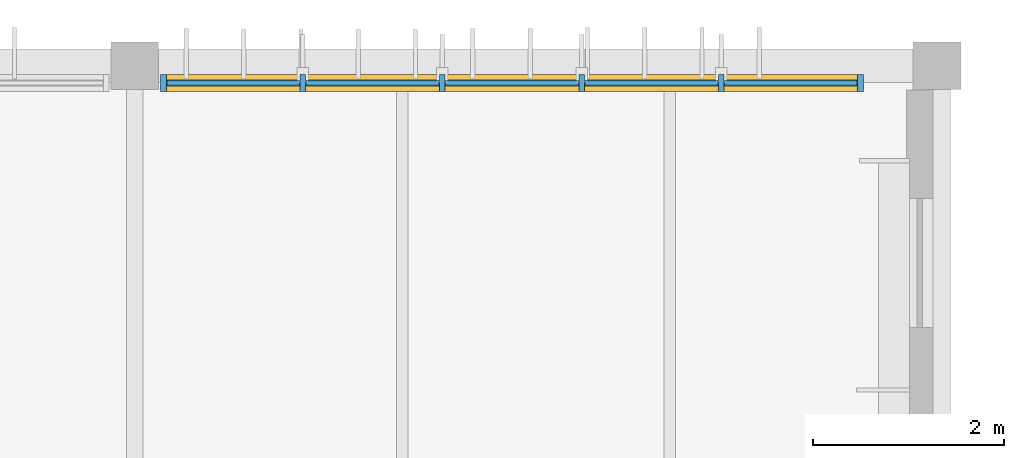
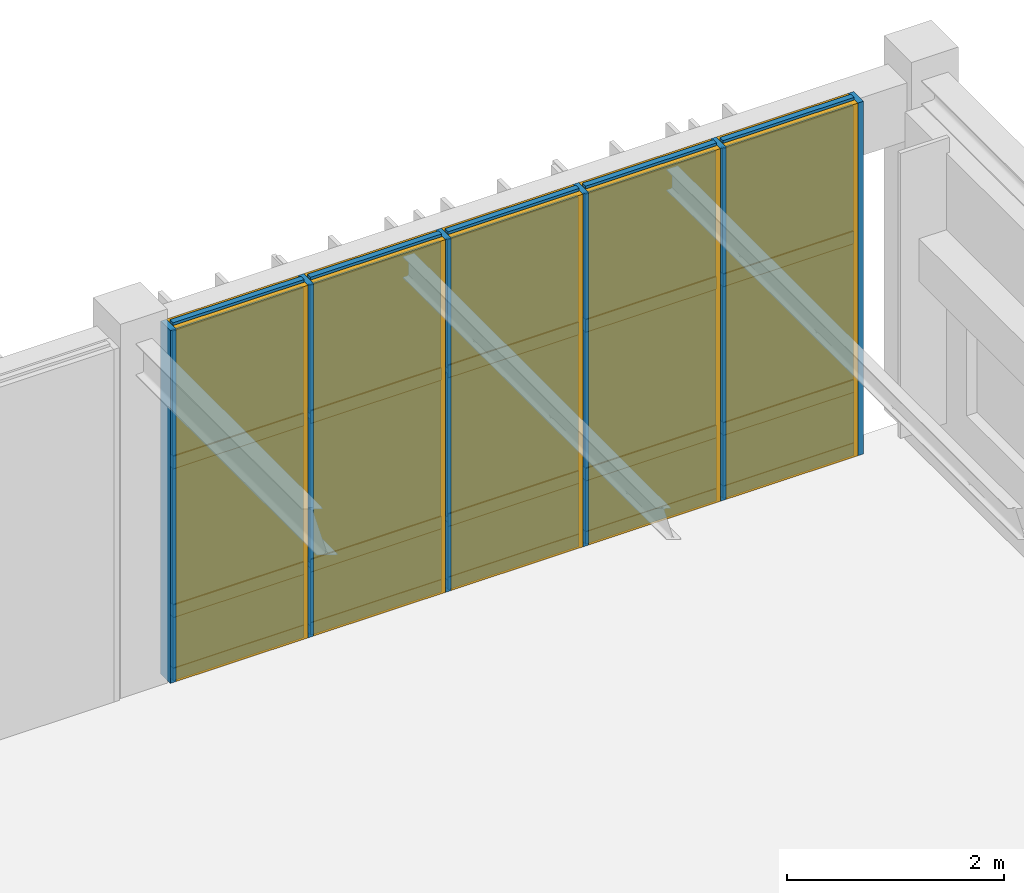
# One storey, part 89 of 104: 26 members, 15 plates, 1 curtain wall.
"""IFC4 building model written with IfcOpenShell, lengths in metres."""

from ifc_helpers import new_model, si_unit, direction, frame, frame_2d, origin, origin_2d, place, context, subcontext, project, spatial, rectangle, extrude, material, layer, layer_set, material_profile, profile_set, type_object, element, aggregate, save


model = new_model("IFC4")

# Units and contexts
model_context = context("Model", 3, precision=1e-05, world=origin(), true_north=direction((0.0, 1.0)))
body_context = subcontext(model_context, "Body", "Model", "MODEL_VIEW")
ifc_project = project(units=[si_unit("LENGTHUNIT", "METRE"), si_unit("AREAUNIT", "SQUARE_METRE"), si_unit("VOLUMEUNIT", "CUBIC_METRE"), si_unit("PLANEANGLEUNIT", "RADIAN"), si_unit("MASSUNIT", "GRAM", prefix="KILO")], contexts=[model_context])

# Member
ifc_material_1 = material(Name="Anodised Bronze Aluminium 6063-T6", Category="aluminium")
ifc_material_profile_1 = material_profile(ifc_material_1, rectangle(XDim=0.06005859375, YDim=0.179931640625, at=origin_2d()), Name="ALU MULLION 60x180")
ifc_profile_set_1 = profile_set([ifc_material_profile_1], Name="Anodised Bronze Aluminium 6063-T6")
member_type_1 = type_object("IfcMemberType", Name="Curtain-Wall Primary Mullion 60x180", PredefinedType="MULLION", material=ifc_profile_set_1)
site_placement = place(None, origin())
building_placement = place(site_placement, origin())
storey_placement = place(building_placement, frame((0.0, 0.0, 9.0)))
member_1_placement = place(storey_placement, frame((142.5, 111.6201171875, 0.0), z_axis=(0.0, 0.0, 1.0), x_axis=(1.0, 0.0, 0.0)))
member_1 = element("IfcMember", 1, at=member_1_placement, type_object=member_type_1, Name="Mullion CWM-01 CW-V3-N3-L02-B3-M01", PredefinedType="MULLION", context=body_context, shape_type="SweptSolid", body=[
    extrude(rectangle(XDim=0.06005859375, YDim=0.179931640625, at=origin_2d()), origin(), (0.0, 0.0, 1.0), 3.9599609375),
])

member_2_placement = place(storey_placement, frame((143.9599609375, 111.6201171875, 0.0), z_axis=(0.0, 0.0, 1.0), x_axis=(1.0, 0.0, 0.0)))
member_2 = element("IfcMember", 2, at=member_2_placement, type_object=member_type_1, Name="Mullion CWM-01 CW-V3-N3-L02-B3-M02", PredefinedType="MULLION", context=body_context, shape_type="SweptSolid", body=[
    extrude(rectangle(XDim=0.06005859375, YDim=0.179931640625, at=origin_2d()), origin(), (0.0, 0.0, 1.0), 3.9599609375),
])

member_3_placement = place(storey_placement, frame((145.419921875, 111.6201171875, 0.0), z_axis=(0.0, 0.0, 1.0), x_axis=(1.0, 0.0, 0.0)))
member_3 = element("IfcMember", 3, at=member_3_placement, type_object=member_type_1, Name="Mullion CWM-01 CW-V3-N3-L02-B3-M03", PredefinedType="MULLION", context=body_context, shape_type="SweptSolid", body=[
    extrude(rectangle(XDim=0.06005859375, YDim=0.179931640625, at=origin_2d()), origin(), (0.0, 0.0, 1.0), 3.9599609375),
])

member_4_placement = place(storey_placement, frame((146.8798828125, 111.6201171875, 0.0), z_axis=(0.0, 0.0, 1.0), x_axis=(1.0, 0.0, 0.0)))
member_4 = element("IfcMember", 4, at=member_4_placement, type_object=member_type_1, Name="Mullion CWM-01 CW-V3-N3-L02-B3-M04", PredefinedType="MULLION", context=body_context, shape_type="SweptSolid", body=[
    extrude(rectangle(XDim=0.06005859375, YDim=0.179931640625, at=origin_2d()), origin(), (0.0, 0.0, 1.0), 3.9599609375),
])

member_5_placement = place(storey_placement, frame((148.340087890625, 111.6201171875, 0.0), z_axis=(0.0, 0.0, 1.0), x_axis=(1.0, 0.0, 0.0)))
member_5 = element("IfcMember", 5, at=member_5_placement, type_object=member_type_1, Name="Mullion CWM-01 CW-V3-N3-L02-B3-M05", PredefinedType="MULLION", context=body_context, shape_type="SweptSolid", body=[
    extrude(rectangle(XDim=0.06005859375, YDim=0.179931640625, at=origin_2d()), origin(), (0.0, 0.0, 1.0), 3.9599609375),
])

member_6_placement = place(storey_placement, frame((149.800048828125, 111.6201171875, 0.0), z_axis=(0.0, 0.0, 1.0), x_axis=(1.0, 0.0, 0.0)))
member_6 = element("IfcMember", 6, at=member_6_placement, type_object=member_type_1, Name="Mullion CWM-01 CW-V3-N3-L02-B3-M06", PredefinedType="MULLION", context=body_context, shape_type="SweptSolid", body=[
    extrude(rectangle(XDim=0.06005859375, YDim=0.179931640625, at=origin_2d()), origin(), (0.0, 0.0, 1.0), 3.9599609375),
])

ifc_material_profile_2 = material_profile(ifc_material_1, rectangle(XDim=0.06005859375, YDim=0.139892578125, at=origin_2d()), Name="ALU TRANSOM 60x140")
ifc_profile_set_2 = profile_set([ifc_material_profile_2], Name="Anodised Bronze Aluminium 6063-T6")
member_type_2 = type_object("IfcMemberType", Name="Curtain-Wall Transom 60x140", PredefinedType="USERDEFINED", material=ifc_profile_set_2)
member_7_placement = place(storey_placement, frame((142.534912109375, 111.6201171875, 0.0400390625), z_axis=(1.0, 0.0, 0.0), x_axis=(0.0, 1.0, 0.0)))
member_7 = element("IfcMember", 7, at=member_7_placement, type_object=member_type_2, Name="Transom CWT-01 CW-V3-N3-L02-B3-T01.1", ObjectType="TRANSOM", PredefinedType="USERDEFINED", context=body_context, shape_type="SweptSolid", body=[
    extrude(rectangle(XDim=0.06005859375, YDim=0.139892578125, at=origin_2d()), origin(), (0.0, 0.0, 1.0), 1.39013671875),
])

member_8_placement = place(storey_placement, frame((142.534912109375, 111.6201171875, 0.75), z_axis=(1.0, 0.0, 0.0), x_axis=(0.0, 1.0, 0.0)))
member_8 = element("IfcMember", 8, at=member_8_placement, type_object=member_type_2, Name="Transom CWT-01 CW-V3-N3-L02-B3-T01.2", ObjectType="TRANSOM", PredefinedType="USERDEFINED", context=body_context, shape_type="SweptSolid", body=[
    extrude(rectangle(XDim=0.06005859375, YDim=0.139892578125, at=origin_2d()), origin(), (0.0, 0.0, 1.0), 1.39013671875),
])

member_9_placement = place(storey_placement, frame((142.534912109375, 111.6201171875, 2.419189453125), z_axis=(1.0, 0.0, 0.0), x_axis=(0.0, 1.0, 0.0)))
member_9 = element("IfcMember", 9, at=member_9_placement, type_object=member_type_2, Name="Transom CWT-01 CW-V3-N3-L02-B3-T01.3", ObjectType="TRANSOM", PredefinedType="USERDEFINED", context=body_context, shape_type="SweptSolid", body=[
    extrude(rectangle(XDim=0.06005859375, YDim=0.139892578125, at=origin_2d()), origin(), (0.0, 0.0, 1.0), 1.39013671875),
])

member_10_placement = place(storey_placement, frame((142.534912109375, 111.6201171875, 3.919921875), z_axis=(1.0, 0.0, 0.0), x_axis=(0.0, 1.0, 0.0)))
member_10 = element("IfcMember", 10, at=member_10_placement, type_object=member_type_2, Name="Transom CWT-01 CW-V3-N3-L02-B3-T01.4", ObjectType="TRANSOM", PredefinedType="USERDEFINED", context=body_context, shape_type="SweptSolid", body=[
    extrude(rectangle(XDim=0.06005859375, YDim=0.139892578125, at=origin_2d()), origin(), (0.0, 0.0, 1.0), 1.39013671875),
])

member_11_placement = place(storey_placement, frame((143.9951171875, 111.6201171875, 0.0400390625), z_axis=(1.0, 0.0, 0.0), x_axis=(0.0, 1.0, 0.0)))
member_11 = element("IfcMember", 11, at=member_11_placement, type_object=member_type_2, Name="Transom CWT-01 CW-V3-N3-L02-B3-T02.1", ObjectType="TRANSOM", PredefinedType="USERDEFINED", context=body_context, shape_type="SweptSolid", body=[
    extrude(rectangle(XDim=0.06005859375, YDim=0.139892578125, at=origin_2d()), origin(), (0.0, 0.0, 1.0), 1.389892578125),
])

member_12_placement = place(storey_placement, frame((143.9951171875, 111.6201171875, 0.75), z_axis=(1.0, 0.0, 0.0), x_axis=(0.0, 1.0, 0.0)))
member_12 = element("IfcMember", 12, at=member_12_placement, type_object=member_type_2, Name="Transom CWT-01 CW-V3-N3-L02-B3-T02.2", ObjectType="TRANSOM", PredefinedType="USERDEFINED", context=body_context, shape_type="SweptSolid", body=[
    extrude(rectangle(XDim=0.06005859375, YDim=0.139892578125, at=origin_2d()), origin(), (0.0, 0.0, 1.0), 1.389892578125),
])

member_13_placement = place(storey_placement, frame((143.9951171875, 111.6201171875, 2.419189453125), z_axis=(1.0, 0.0, 0.0), x_axis=(0.0, 1.0, 0.0)))
member_13 = element("IfcMember", 13, at=member_13_placement, type_object=member_type_2, Name="Transom CWT-01 CW-V3-N3-L02-B3-T02.3", ObjectType="TRANSOM", PredefinedType="USERDEFINED", context=body_context, shape_type="SweptSolid", body=[
    extrude(rectangle(XDim=0.06005859375, YDim=0.139892578125, at=origin_2d()), origin(), (0.0, 0.0, 1.0), 1.389892578125),
])

member_14_placement = place(storey_placement, frame((143.9951171875, 111.6201171875, 3.919921875), z_axis=(1.0, 0.0, 0.0), x_axis=(0.0, 1.0, 0.0)))
member_14 = element("IfcMember", 14, at=member_14_placement, type_object=member_type_2, Name="Transom CWT-01 CW-V3-N3-L02-B3-T02.4", ObjectType="TRANSOM", PredefinedType="USERDEFINED", context=body_context, shape_type="SweptSolid", body=[
    extrude(rectangle(XDim=0.06005859375, YDim=0.139892578125, at=origin_2d()), origin(), (0.0, 0.0, 1.0), 1.389892578125),
])

member_15_placement = place(storey_placement, frame((145.455078125, 111.6201171875, 0.0400390625), z_axis=(1.0, 0.0, 0.0), x_axis=(0.0, 1.0, 0.0)))
member_15 = element("IfcMember", 15, at=member_15_placement, type_object=member_type_2, Name="Transom CWT-01 CW-V3-N3-L02-B3-T03.1", ObjectType="TRANSOM", PredefinedType="USERDEFINED", context=body_context, shape_type="SweptSolid", body=[
    extrude(rectangle(XDim=0.06005859375, YDim=0.139892578125, at=origin_2d()), origin(), (0.0, 0.0, 1.0), 1.389892578125),
])

member_16_placement = place(storey_placement, frame((145.455078125, 111.6201171875, 0.75), z_axis=(1.0, 0.0, 0.0), x_axis=(0.0, 1.0, 0.0)))
member_16 = element("IfcMember", 16, at=member_16_placement, type_object=member_type_2, Name="Transom CWT-01 CW-V3-N3-L02-B3-T03.2", ObjectType="TRANSOM", PredefinedType="USERDEFINED", context=body_context, shape_type="SweptSolid", body=[
    extrude(rectangle(XDim=0.06005859375, YDim=0.139892578125, at=origin_2d()), origin(), (0.0, 0.0, 1.0), 1.389892578125),
])

member_17_placement = place(storey_placement, frame((145.455078125, 111.6201171875, 2.419189453125), z_axis=(1.0, 0.0, 0.0), x_axis=(0.0, 1.0, 0.0)))
member_17 = element("IfcMember", 17, at=member_17_placement, type_object=member_type_2, Name="Transom CWT-01 CW-V3-N3-L02-B3-T03.3", ObjectType="TRANSOM", PredefinedType="USERDEFINED", context=body_context, shape_type="SweptSolid", body=[
    extrude(rectangle(XDim=0.06005859375, YDim=0.139892578125, at=origin_2d()), origin(), (0.0, 0.0, 1.0), 1.389892578125),
])

member_18_placement = place(storey_placement, frame((145.455078125, 111.6201171875, 3.919921875), z_axis=(1.0, 0.0, 0.0), x_axis=(0.0, 1.0, 0.0)))
member_18 = element("IfcMember", 18, at=member_18_placement, type_object=member_type_2, Name="Transom CWT-01 CW-V3-N3-L02-B3-T03.4", ObjectType="TRANSOM", PredefinedType="USERDEFINED", context=body_context, shape_type="SweptSolid", body=[
    extrude(rectangle(XDim=0.06005859375, YDim=0.139892578125, at=origin_2d()), origin(), (0.0, 0.0, 1.0), 1.389892578125),
])

member_19_placement = place(storey_placement, frame((146.9150390625, 111.6201171875, 0.0400390625), z_axis=(1.0, 0.0, 0.0), x_axis=(0.0, 1.0, 0.0)))
member_19 = element("IfcMember", 19, at=member_19_placement, type_object=member_type_2, Name="Transom CWT-01 CW-V3-N3-L02-B3-T04.1", ObjectType="TRANSOM", PredefinedType="USERDEFINED", context=body_context, shape_type="SweptSolid", body=[
    extrude(rectangle(XDim=0.06005859375, YDim=0.139892578125, at=origin_2d()), origin(), (0.0, 0.0, 1.0), 1.389892578125),
])

member_20_placement = place(storey_placement, frame((146.9150390625, 111.6201171875, 0.75), z_axis=(1.0, 0.0, 0.0), x_axis=(0.0, 1.0, 0.0)))
member_20 = element("IfcMember", 20, at=member_20_placement, type_object=member_type_2, Name="Transom CWT-01 CW-V3-N3-L02-B3-T04.2", ObjectType="TRANSOM", PredefinedType="USERDEFINED", context=body_context, shape_type="SweptSolid", body=[
    extrude(rectangle(XDim=0.06005859375, YDim=0.139892578125, at=origin_2d()), origin(), (0.0, 0.0, 1.0), 1.389892578125),
])

member_21_placement = place(storey_placement, frame((146.9150390625, 111.6201171875, 2.419189453125), z_axis=(1.0, 0.0, 0.0), x_axis=(0.0, 1.0, 0.0)))
member_21 = element("IfcMember", 21, at=member_21_placement, type_object=member_type_2, Name="Transom CWT-01 CW-V3-N3-L02-B3-T04.3", ObjectType="TRANSOM", PredefinedType="USERDEFINED", context=body_context, shape_type="SweptSolid", body=[
    extrude(rectangle(XDim=0.06005859375, YDim=0.139892578125, at=origin_2d()), origin(), (0.0, 0.0, 1.0), 1.389892578125),
])

member_22_placement = place(storey_placement, frame((146.9150390625, 111.6201171875, 3.919921875), z_axis=(1.0, 0.0, 0.0), x_axis=(0.0, 1.0, 0.0)))
member_22 = element("IfcMember", 22, at=member_22_placement, type_object=member_type_2, Name="Transom CWT-01 CW-V3-N3-L02-B3-T04.4", ObjectType="TRANSOM", PredefinedType="USERDEFINED", context=body_context, shape_type="SweptSolid", body=[
    extrude(rectangle(XDim=0.06005859375, YDim=0.139892578125, at=origin_2d()), origin(), (0.0, 0.0, 1.0), 1.389892578125),
])

member_23_placement = place(storey_placement, frame((148.375, 111.6201171875, 0.0400390625), z_axis=(1.0, 0.0, 0.0), x_axis=(0.0, 1.0, 0.0)))
member_23 = element("IfcMember", 23, at=member_23_placement, type_object=member_type_2, Name="Transom CWT-01 CW-V3-N3-L02-B3-T05.1", ObjectType="TRANSOM", PredefinedType="USERDEFINED", context=body_context, shape_type="SweptSolid", body=[
    extrude(rectangle(XDim=0.06005859375, YDim=0.139892578125, at=origin_2d()), origin(), (0.0, 0.0, 1.0), 1.389892578125),
])

member_24_placement = place(storey_placement, frame((148.375, 111.6201171875, 0.75), z_axis=(1.0, 0.0, 0.0), x_axis=(0.0, 1.0, 0.0)))
member_24 = element("IfcMember", 24, at=member_24_placement, type_object=member_type_2, Name="Transom CWT-01 CW-V3-N3-L02-B3-T05.2", ObjectType="TRANSOM", PredefinedType="USERDEFINED", context=body_context, shape_type="SweptSolid", body=[
    extrude(rectangle(XDim=0.06005859375, YDim=0.139892578125, at=origin_2d()), origin(), (0.0, 0.0, 1.0), 1.389892578125),
])

member_25_placement = place(storey_placement, frame((148.375, 111.6201171875, 2.419189453125), z_axis=(1.0, 0.0, 0.0), x_axis=(0.0, 1.0, 0.0)))
member_25 = element("IfcMember", 25, at=member_25_placement, type_object=member_type_2, Name="Transom CWT-01 CW-V3-N3-L02-B3-T05.3", ObjectType="TRANSOM", PredefinedType="USERDEFINED", context=body_context, shape_type="SweptSolid", body=[
    extrude(rectangle(XDim=0.06005859375, YDim=0.139892578125, at=origin_2d()), origin(), (0.0, 0.0, 1.0), 1.389892578125),
])

member_26_placement = place(storey_placement, frame((148.375, 111.6201171875, 3.919921875), z_axis=(1.0, 0.0, 0.0), x_axis=(0.0, 1.0, 0.0)))
member_26 = element("IfcMember", 26, at=member_26_placement, type_object=member_type_2, Name="Transom CWT-01 CW-V3-N3-L02-B3-T05.4", ObjectType="TRANSOM", PredefinedType="USERDEFINED", context=body_context, shape_type="SweptSolid", body=[
    extrude(rectangle(XDim=0.06005859375, YDim=0.139892578125, at=origin_2d()), origin(), (0.0, 0.0, 1.0), 1.389892578125),
])

# Plate
ifc_material_2 = material(Name="Insulated Bronze Aluminium Spandrel Panel", Category="aluminium")
ifc_layer_1 = layer(ifc_material_2, 0.050048828125, Name="Insulated Bronze Aluminium Spandrel Panel")
ifc_layer_set_1 = layer_set([ifc_layer_1], Name="Insulated Bronze Aluminium Spandrel Panel")
plate_type_1 = type_object("IfcPlateType", Name="Insulated Anodised Aluminium Spandrel Cassette 50", PredefinedType="CURTAIN_PANEL", material=ifc_layer_set_1)
plate_1_placement = place(storey_placement, frame((143.22998046875, 111.6201171875, 0.070068359375), z_axis=(0.0, 0.0, 1.0), x_axis=(1.0, 0.0, 0.0)))
plate_1 = element("IfcPlate", 27, at=plate_1_placement, type_object=plate_type_1, Name="Curtain Panel CWP-03 CW-V3-N3-L02-B3-P01.1", PredefinedType="CURTAIN_PANEL", context=body_context, shape_type="SweptSolid", body=[
    extrude(rectangle(XDim=1.389892578125, YDim=0.050048828125, at=origin_2d()), origin(), (0.0, 0.0, 1.0), 0.64990234375),
])

plate_2_placement = place(storey_placement, frame((144.68994140625, 111.6201171875, 0.070068359375), z_axis=(0.0, 0.0, 1.0), x_axis=(1.0, 0.0, 0.0)))
plate_2 = element("IfcPlate", 28, at=plate_2_placement, type_object=plate_type_1, Name="Curtain Panel CWP-03 CW-V3-N3-L02-B3-P02.1", PredefinedType="CURTAIN_PANEL", context=body_context, shape_type="SweptSolid", body=[
    extrude(rectangle(XDim=1.389892578125, YDim=0.050048828125, at=origin_2d()), origin(), (0.0, 0.0, 1.0), 0.64990234375),
])

plate_3_placement = place(storey_placement, frame((146.14990234375, 111.6201171875, 0.070068359375), z_axis=(0.0, 0.0, 1.0), x_axis=(1.0, 0.0, 0.0)))
plate_3 = element("IfcPlate", 29, at=plate_3_placement, type_object=plate_type_1, Name="Curtain Panel CWP-03 CW-V3-N3-L02-B3-P03.1", PredefinedType="CURTAIN_PANEL", context=body_context, shape_type="SweptSolid", body=[
    extrude(rectangle(XDim=1.389892578125, YDim=0.050048828125, at=origin_2d()), origin(), (0.0, 0.0, 1.0), 0.64990234375),
])

plate_4_placement = place(storey_placement, frame((147.610107421875, 111.6201171875, 0.070068359375), z_axis=(0.0, 0.0, 1.0), x_axis=(1.0, 0.0, 0.0)))
plate_4 = element("IfcPlate", 30, at=plate_4_placement, type_object=plate_type_1, Name="Curtain Panel CWP-03 CW-V3-N3-L02-B3-P04.1", PredefinedType="CURTAIN_PANEL", context=body_context, shape_type="SweptSolid", body=[
    extrude(rectangle(XDim=1.389892578125, YDim=0.050048828125, at=origin_2d()), origin(), (0.0, 0.0, 1.0), 0.64990234375),
])

plate_5_placement = place(storey_placement, frame((149.070068359375, 111.6201171875, 0.070068359375), z_axis=(0.0, 0.0, 1.0), x_axis=(1.0, 0.0, 0.0)))
plate_5 = element("IfcPlate", 31, at=plate_5_placement, type_object=plate_type_1, Name="Curtain Panel CWP-03 CW-V3-N3-L02-B3-P05.1", PredefinedType="CURTAIN_PANEL", context=body_context, shape_type="SweptSolid", body=[
    extrude(rectangle(XDim=1.389892578125, YDim=0.050048828125, at=origin_2d()), origin(), (0.0, 0.0, 1.0), 0.64990234375),
])

ifc_material_3 = material(Name="Solar-Control Tempered Double Glazing", Category="glass")
ifc_layer_2 = layer(ifc_material_3, 0.0380859375, Name="Solar-Control Tempered Double Glazing")
ifc_layer_set_2 = layer_set([ifc_layer_2], Name="Solar-Control Tempered Double Glazing")
plate_type_2 = type_object("IfcPlateType", Name="Solar-Control Vision Glazing Unit 38", PredefinedType="CURTAIN_PANEL", material=ifc_layer_set_2)
plate_6_placement = place(storey_placement, frame((143.22998046875, 111.6201171875, 0.7802734375), z_axis=(0.0, 0.0, 1.0), x_axis=(1.0, 0.0, 0.0)))
plate_6 = element("IfcPlate", 32, at=plate_6_placement, type_object=plate_type_2, Name="Curtain Panel CWP-02 CW-V3-N3-L02-B3-P01.2", PredefinedType="CURTAIN_PANEL", context=body_context, shape_type="SweptSolid", body=[
    extrude(rectangle(XDim=1.389892578125, YDim=0.0380859375, at=origin_2d()), origin(), (0.0, 0.0, 1.0), 1.609130859375),
])

plate_7_placement = place(storey_placement, frame((143.22998046875, 111.6201171875, 2.44921875), z_axis=(0.0, 0.0, 1.0), x_axis=(1.0, 0.0, 0.0)))
plate_7 = element("IfcPlate", 33, at=plate_7_placement, type_object=plate_type_2, Name="Curtain Panel CWP-02 CW-V3-N3-L02-B3-P01.3", PredefinedType="CURTAIN_PANEL", context=body_context, shape_type="SweptSolid", body=[
    extrude(rectangle(XDim=1.389892578125, YDim=0.0380859375, at=origin_2d()), origin(), (0.0, 0.0, 1.0), 1.44091796875),
])

plate_8_placement = place(storey_placement, frame((144.68994140625, 111.6201171875, 0.7802734375), z_axis=(0.0, 0.0, 1.0), x_axis=(1.0, 0.0, 0.0)))
plate_8 = element("IfcPlate", 34, at=plate_8_placement, type_object=plate_type_2, Name="Curtain Panel CWP-02 CW-V3-N3-L02-B3-P02.2", PredefinedType="CURTAIN_PANEL", context=body_context, shape_type="SweptSolid", body=[
    extrude(rectangle(XDim=1.389892578125, YDim=0.0380859375, at=origin_2d()), origin(), (0.0, 0.0, 1.0), 1.609130859375),
])

plate_9_placement = place(storey_placement, frame((144.68994140625, 111.6201171875, 2.44921875), z_axis=(0.0, 0.0, 1.0), x_axis=(1.0, 0.0, 0.0)))
plate_9 = element("IfcPlate", 35, at=plate_9_placement, type_object=plate_type_2, Name="Curtain Panel CWP-02 CW-V3-N3-L02-B3-P02.3", PredefinedType="CURTAIN_PANEL", context=body_context, shape_type="SweptSolid", body=[
    extrude(rectangle(XDim=1.389892578125, YDim=0.0380859375, at=origin_2d()), origin(), (0.0, 0.0, 1.0), 1.44091796875),
])

plate_10_placement = place(storey_placement, frame((146.14990234375, 111.6201171875, 0.7802734375), z_axis=(0.0, 0.0, 1.0), x_axis=(1.0, 0.0, 0.0)))
plate_10 = element("IfcPlate", 36, at=plate_10_placement, type_object=plate_type_2, Name="Curtain Panel CWP-02 CW-V3-N3-L02-B3-P03.2", PredefinedType="CURTAIN_PANEL", context=body_context, shape_type="SweptSolid", body=[
    extrude(rectangle(XDim=1.389892578125, YDim=0.0380859375, at=origin_2d()), origin(), (0.0, 0.0, 1.0), 1.609130859375),
])

plate_11_placement = place(storey_placement, frame((146.14990234375, 111.6201171875, 2.44921875), z_axis=(0.0, 0.0, 1.0), x_axis=(1.0, 0.0, 0.0)))
plate_11 = element("IfcPlate", 37, at=plate_11_placement, type_object=plate_type_2, Name="Curtain Panel CWP-02 CW-V3-N3-L02-B3-P03.3", PredefinedType="CURTAIN_PANEL", context=body_context, shape_type="SweptSolid", body=[
    extrude(rectangle(XDim=1.389892578125, YDim=0.0380859375, at=origin_2d()), origin(), (0.0, 0.0, 1.0), 1.44091796875),
])

plate_12_placement = place(storey_placement, frame((147.610107421875, 111.6201171875, 0.7802734375), z_axis=(0.0, 0.0, 1.0), x_axis=(1.0, 0.0, 0.0)))
plate_12 = element("IfcPlate", 38, at=plate_12_placement, type_object=plate_type_2, Name="Curtain Panel CWP-02 CW-V3-N3-L02-B3-P04.2", PredefinedType="CURTAIN_PANEL", context=body_context, shape_type="SweptSolid", body=[
    extrude(rectangle(XDim=1.389892578125, YDim=0.0380859375, at=origin_2d()), origin(), (0.0, 0.0, 1.0), 1.609130859375),
])

plate_13_placement = place(storey_placement, frame((147.610107421875, 111.6201171875, 2.44921875), z_axis=(0.0, 0.0, 1.0), x_axis=(1.0, 0.0, 0.0)))
plate_13 = element("IfcPlate", 39, at=plate_13_placement, type_object=plate_type_2, Name="Curtain Panel CWP-02 CW-V3-N3-L02-B3-P04.3", PredefinedType="CURTAIN_PANEL", context=body_context, shape_type="SweptSolid", body=[
    extrude(rectangle(XDim=1.389892578125, YDim=0.0380859375, at=origin_2d()), origin(), (0.0, 0.0, 1.0), 1.44091796875),
])

plate_14_placement = place(storey_placement, frame((149.070068359375, 111.6201171875, 0.7802734375), z_axis=(0.0, 0.0, 1.0), x_axis=(1.0, 0.0, 0.0)))
plate_14 = element("IfcPlate", 40, at=plate_14_placement, type_object=plate_type_2, Name="Curtain Panel CWP-02 CW-V3-N3-L02-B3-P05.2", PredefinedType="CURTAIN_PANEL", context=body_context, shape_type="SweptSolid", body=[
    extrude(rectangle(XDim=1.389892578125, YDim=0.0380859375, at=origin_2d()), origin(), (0.0, 0.0, 1.0), 1.609130859375),
])

plate_15_placement = place(storey_placement, frame((149.070068359375, 111.6201171875, 2.44921875), z_axis=(0.0, 0.0, 1.0), x_axis=(1.0, 0.0, 0.0)))
plate_15 = element("IfcPlate", 41, at=plate_15_placement, type_object=plate_type_2, Name="Curtain Panel CWP-02 CW-V3-N3-L02-B3-P05.3", PredefinedType="CURTAIN_PANEL", context=body_context, shape_type="SweptSolid", body=[
    extrude(rectangle(XDim=1.389892578125, YDim=0.0380859375, at=origin_2d()), origin(), (0.0, 0.0, 1.0), 1.44091796875),
])

# Site, building, storey
site = spatial("IfcSite", under=ifc_project, at=site_placement, CompositionType="ELEMENT")
building = spatial("IfcBuilding", under=site, at=building_placement, Name="Tazoul Stagehouse", CompositionType="ELEMENT")
storey = spatial("IfcBuildingStorey", under=building, at=storey_placement, Name="L02", CompositionType="ELEMENT", Elevation=9.0)

# Curtain wall
curtain_wall_type = type_object("IfcCurtainWallType", Name="Rehearsal North Daylight Curtain Wall", PredefinedType="NOTDEFINED", material=ifc_material_1)
curtain_wall_placement = place(storey_placement, frame((142.5, 111.6201171875, 0.0), z_axis=(0.0, 0.0, 1.0), x_axis=(1.0, 0.0, 0.0)))
curtain_wall = element("IfcCurtainWall", 42, at=curtain_wall_placement, inside=storey, type_object=curtain_wall_type, Name="L02 Curtain Wall CW-04 (CW-V3-N3-L02-B3)", PredefinedType="NOTDEFINED", context=body_context, shape_type="SweptSolid", body=[
    extrude(rectangle(XDim=7.300048828125, YDim=0.179931640625, at=frame_2d((3.64990234375, 0.0))), origin(), (0.0, 0.0, 1.0), 3.9599609375),
])

aggregate(curtain_wall, [member_1, member_2, member_3, member_4, member_5, member_6, member_7, member_8, member_9, member_10, plate_1, plate_6, plate_7, member_11, member_12, member_13, member_14, plate_2, plate_8, plate_9, member_15, member_16, member_17, member_18, plate_3, plate_10, plate_11, member_19, member_20, member_21, member_22, plate_4, plate_12, plate_13, member_23, member_24, member_25, member_26, plate_5, plate_14, plate_15])

save(model, "model.ifc")
